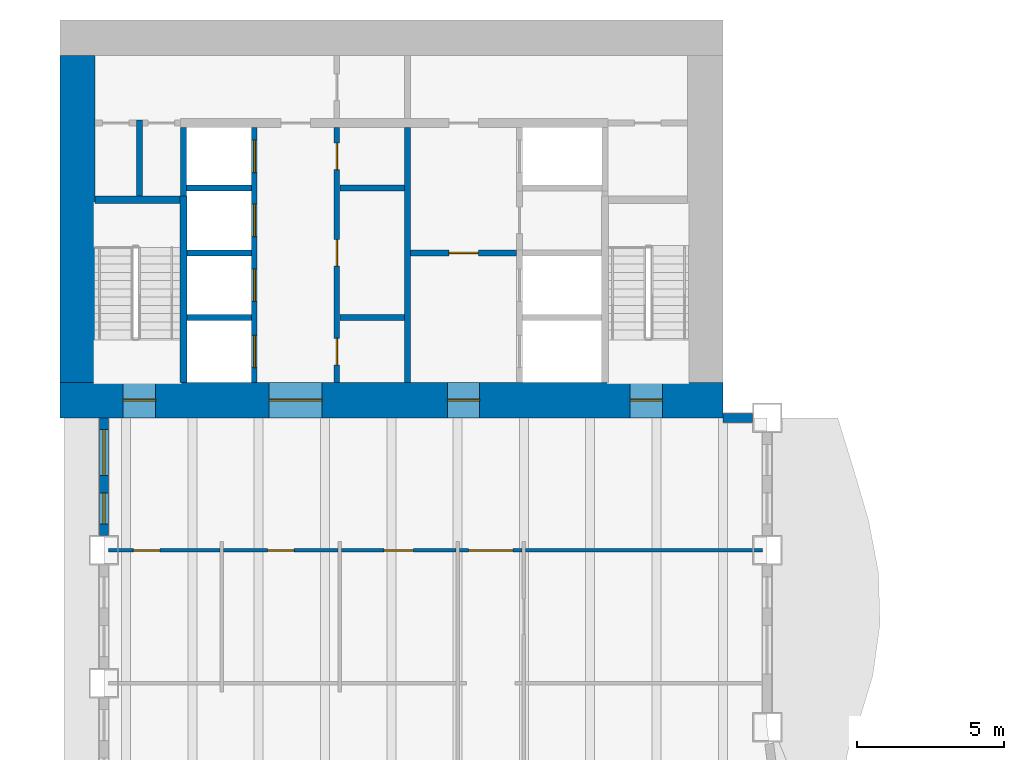
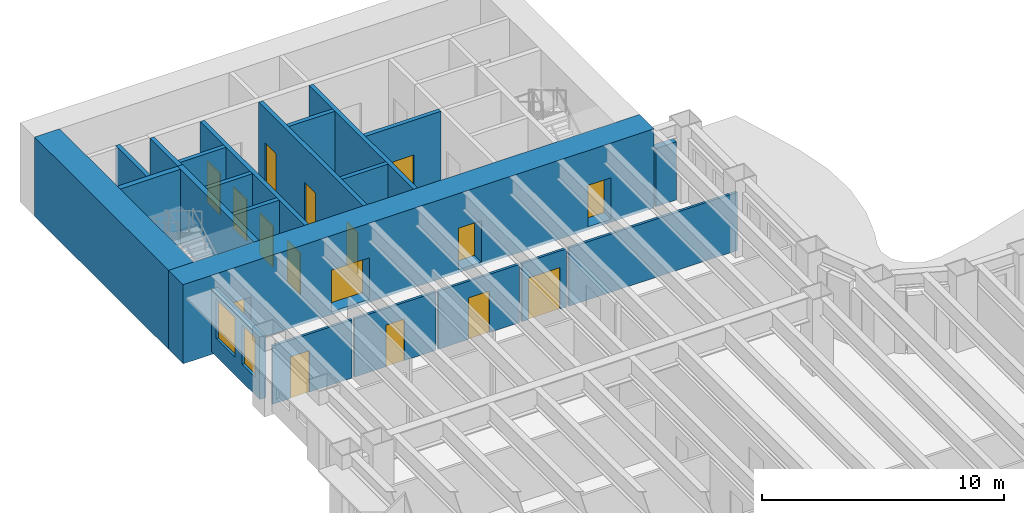
# One storey, part 8 of 16: 22 walls, 16 doors, 2 windows, 18 openings.
"""IFC4 building model written with IfcOpenShell, lengths in metres."""

from ifc_helpers import new_model, si_unit, direction, frame, frame_2d, origin, place, context, subcontext, project, spatial, rectangle, extrude, material, layer, layer_set, type_object, element, fill, save


model = new_model("IFC4")

# Units and contexts
model_context = context("Model", 3, precision=1e-05, world=origin(), true_north=direction((0.0, 1.0)))
body_context = subcontext(model_context, "Body", "Model", "MODEL_VIEW")
ifc_project = project(units=[si_unit("LENGTHUNIT", "METRE"), si_unit("AREAUNIT", "SQUARE_METRE"), si_unit("VOLUMEUNIT", "CUBIC_METRE"), si_unit("PLANEANGLEUNIT", "RADIAN"), si_unit("MASSUNIT", "GRAM", prefix="KILO")], contexts=[model_context])

# Site, building, storey
site_placement = place(None, origin())
site = spatial("IfcSite", under=ifc_project, at=site_placement, CompositionType="ELEMENT")
building_placement = place(site_placement, origin())
building = spatial("IfcBuilding", under=site, at=building_placement, Name="Sennacour Bend Tower", CompositionType="ELEMENT")
storey_placement = place(building_placement, frame((0.0, 0.0, 99.0)))
storey = spatial("IfcBuildingStorey", under=building, at=storey_placement, Name="L22", CompositionType="ELEMENT", Elevation=99.0)

# Wall, openings, doors
ifc_material_1 = material(Name="Concrete C80/95", Category="concrete")
ifc_layer_1 = layer(ifc_material_1, 1.199951171875, Name="Concrete C80/95", Category="concrete")
ifc_layer_set_1 = layer_set([ifc_layer_1], Name="Concrete C80/95")
wall_type_1 = type_object("IfcWallType", Name="Core wall 1200 C80/95", PredefinedType="SHEAR", material=ifc_layer_set_1)
wall_1_placement = place(storey_placement, frame((0.0, 36.60009765625, -0.14990234375), z_axis=(0.0, 0.0, 1.0), x_axis=(1.0, 0.0, 0.0)))
wall_1 = element("IfcWall", 1, at=wall_1_placement, inside=storey, type_object=wall_type_1, Name="Core B wall L22 S", PredefinedType="SHEAR", context=body_context, shape_type="SweptSolid", body=[
    extrude(rectangle(XDim=22.5, YDim=1.199951171875, at=frame_2d((11.25, 0.0))), origin(), (0.0, 0.0, 1.0), 4.0),
])
opening_1_placement = place(wall_1_placement, frame((7.10009765625, 0.0, 0.14990234375)))
opening_1 = element("IfcOpeningElement", 2, at=opening_1_placement, cuts=wall_1, Name="Opening CD", PredefinedType="OPENING", context=body_context, shape_type="SweptSolid", body=[
    extrude(rectangle(XDim=1.800048828125, YDim=2.10009765625, at=frame_2d((0.89990234375, 1.050048828125))), frame((0.0, 0.60986328125, 0.0), z_axis=(0.0, -1.0, 0.0), x_axis=(1.0, 0.0, 0.0)), (0.0, 0.0, 1.0), 1.219970703125),
])
opening_2_placement = place(wall_1_placement, frame((13.14990234375, 0.0, 0.14990234375)))
opening_2 = element("IfcOpeningElement", 3, at=opening_2_placement, cuts=wall_1, Name="Opening FD", PredefinedType="OPENING", context=body_context, shape_type="SweptSolid", body=[
    extrude(rectangle(XDim=1.10009765625, YDim=2.10009765625, at=frame_2d((0.550048828125, 1.050048828125))), frame((0.0, 0.60986328125, 0.0), z_axis=(0.0, -1.0, 0.0), x_axis=(1.0, 0.0, 0.0)), (0.0, 0.0, 1.0), 1.219970703125),
])
opening_3_placement = place(wall_1_placement, frame((2.14990234375, 0.0, 0.14990234375)))
opening_3 = element("IfcOpeningElement", 4, at=opening_3_placement, cuts=wall_1, Name="Opening SD", PredefinedType="OPENING", context=body_context, shape_type="SweptSolid", body=[
    extrude(rectangle(XDim=1.10009765625, YDim=2.10009765625, at=frame_2d((0.550048828125, 1.050048828125))), frame((0.0, 0.60986328125, 0.0), z_axis=(0.0, -1.0, 0.0), x_axis=(1.0, 0.0, 0.0)), (0.0, 0.0, 1.0), 1.219970703125),
])
opening_4_placement = place(wall_1_placement, frame((19.35009765625, 0.0, 0.14990234375)))
opening_4 = element("IfcOpeningElement", 5, at=opening_4_placement, cuts=wall_1, Name="Opening SD", PredefinedType="OPENING", context=body_context, shape_type="SweptSolid", body=[
    extrude(rectangle(XDim=1.10009765625, YDim=2.10009765625, at=frame_2d((0.550048828125, 1.050048828125))), frame((0.0, 0.60986328125, 0.0), z_axis=(0.0, -1.0, 0.0), x_axis=(1.0, 0.0, 0.0)), (0.0, 0.0, 1.0), 1.219970703125),
])
ifc_material_2 = material(Name="Painted steel", Category="steel")
door_type_1 = type_object("IfcDoorType", Name="DR-FFL-1100", OperationType="NOTDEFINED", PredefinedType="DOOR", material=ifc_material_2)
door_1_placement = place(opening_2_placement, origin())
door_1 = element("IfcDoor", 6, at=door_1_placement, inside=storey, type_object=door_type_1, Name="Door", OperationType="SINGLE_SWING_RIGHT", OverallHeight=2.10009765625, OverallWidth=1.10009765625, PredefinedType="DOOR", context=body_context, shape_type="SweptSolid", body=[
    extrude(rectangle(XDim=1.10009765625, YDim=2.10009765625, at=frame_2d((0.550048828125, 1.050048828125))), frame((0.0, 0.02490234375, 0.0), z_axis=(0.0, -1.0, 0.0), x_axis=(1.0, 0.0, 0.0)), (0.0, 0.0, 1.0), 0.050048828125),
])
fill(opening_2, door_1)
door_type_2 = type_object("IfcDoorType", Name="DR-LOBBY-1800", OperationType="NOTDEFINED", PredefinedType="DOOR", material=ifc_material_2)
door_2_placement = place(opening_1_placement, origin())
door_2 = element("IfcDoor", 7, at=door_2_placement, inside=storey, type_object=door_type_2, Name="Door", OperationType="DOUBLE_DOOR_SINGLE_SWING", OverallHeight=2.10009765625, OverallWidth=1.800048828125, PredefinedType="DOOR", context=body_context, shape_type="SweptSolid", body=[
    extrude(rectangle(XDim=1.800048828125, YDim=2.10009765625, at=frame_2d((0.89990234375, 1.050048828125))), frame((0.0, 0.02490234375, 0.0), z_axis=(0.0, -1.0, 0.0), x_axis=(1.0, 0.0, 0.0)), (0.0, 0.0, 1.0), 0.050048828125),
])
fill(opening_1, door_2)
door_type_3 = type_object("IfcDoorType", Name="DR-STAIR-1100", OperationType="NOTDEFINED", PredefinedType="DOOR", material=ifc_material_2)
door_3_placement = place(opening_3_placement, origin())
door_3 = element("IfcDoor", 8, at=door_3_placement, inside=storey, type_object=door_type_3, Name="Door", OperationType="SINGLE_SWING_LEFT", OverallHeight=2.10009765625, OverallWidth=1.10009765625, PredefinedType="DOOR", context=body_context, shape_type="SweptSolid", body=[
    extrude(rectangle(XDim=1.10009765625, YDim=2.10009765625, at=frame_2d((0.550048828125, 1.050048828125))), frame((0.0, 0.02490234375, 0.0), z_axis=(0.0, -1.0, 0.0), x_axis=(1.0, 0.0, 0.0)), (0.0, 0.0, 1.0), 0.050048828125),
])
fill(opening_3, door_3)
door_4_placement = place(opening_4_placement, origin())
door_4 = element("IfcDoor", 9, at=door_4_placement, inside=storey, type_object=door_type_3, Name="Door", OperationType="SINGLE_SWING_RIGHT", OverallHeight=2.10009765625, OverallWidth=1.10009765625, PredefinedType="DOOR", context=body_context, shape_type="SweptSolid", body=[
    extrude(rectangle(XDim=1.10009765625, YDim=2.10009765625, at=frame_2d((0.550048828125, 1.050048828125))), frame((0.0, 0.02490234375, 0.0), z_axis=(0.0, -1.0, 0.0), x_axis=(1.0, 0.0, 0.0)), (0.0, 0.0, 1.0), 0.050048828125),
])
fill(opening_4, door_4)

# Wall
wall_2_placement = place(storey_placement, frame((0.60009765625, 37.199951171875, -0.14990234375), z_axis=(0.0, 0.0, 1.0), x_axis=(0.0, 1.0, 0.0)))
element("IfcWall", 10, at=wall_2_placement, inside=storey, type_object=wall_type_1, Name="Core B wall L22 W", PredefinedType="SHEAR", context=body_context, shape_type="SweptSolid", body=[
    extrude(rectangle(XDim=11.10009765625, YDim=1.199951171875, at=frame_2d((5.550048828125, 0.0))), origin(), (0.0, 0.0, 1.0), 4.0),
])

# Wall, opening, door
ifc_material_3 = material(Name="Plasterboard partition on steel studs", Category="steel")
ifc_layer_2 = layer(ifc_material_3, 0.1201171875, Name="Plasterboard partition on steel studs", Category="steel")
ifc_layer_set_2 = layer_set([ifc_layer_2], Name="Plasterboard partition on steel studs")
wall_type_2 = type_object("IfcWallType", Name="Partition 120", PredefinedType="PARTITIONING", material=ifc_layer_set_2)
wall_3_placement = place(storey_placement, frame((1.64990234375, 31.5, 0.0), z_axis=(0.0, 0.0, 1.0), x_axis=(1.0, 0.0, 0.0)))
wall_3 = element("IfcWall", 11, at=wall_3_placement, inside=storey, type_object=wall_type_2, Name="P-L22-W076aa", PredefinedType="PARTITIONING", context=body_context, shape_type="SweptSolid", body=[
    extrude(rectangle(XDim=3.7900390625, YDim=0.1201171875, at=frame_2d((1.89501953125, 0.0))), origin(), (0.0, 0.0, 1.0), 2.93798828125),
])
opening_5_placement = place(wall_3_placement, frame((0.85009765625, 0.0, 0.0)))
opening_5 = element("IfcOpeningElement", 12, at=opening_5_placement, cuts=wall_3, Name="Opening WD", PredefinedType="OPENING", context=body_context, shape_type="SweptSolid", body=[
    extrude(rectangle(XDim=0.89990234375, YDim=2.10009765625, at=frame_2d((0.449951171875, 1.050048828125))), frame((0.0, 0.070068359375, 0.0), z_axis=(0.0, -1.0, 0.0), x_axis=(1.0, 0.0, 0.0)), (0.0, 0.0, 1.0), 0.14013671875),
])
ifc_material_4 = material(Name="Timber", Category="wood")
door_type_4 = type_object("IfcDoorType", Name="DR-WC-900", OperationType="NOTDEFINED", PredefinedType="DOOR", material=ifc_material_4)
door_5_placement = place(opening_5_placement, origin())
door_5 = element("IfcDoor", 13, at=door_5_placement, inside=storey, type_object=door_type_4, Name="Door", OperationType="SINGLE_SWING_LEFT", OverallHeight=2.10009765625, OverallWidth=0.89990234375, PredefinedType="DOOR", context=body_context, shape_type="SweptSolid", body=[
    extrude(rectangle(XDim=0.89990234375, YDim=2.10009765625, at=frame_2d((0.449951171875, 1.050048828125))), frame((0.0, 0.02490234375, 0.0), z_axis=(0.0, -1.0, 0.0), x_axis=(1.0, 0.0, 0.0)), (0.0, 0.0, 1.0), 0.050048828125),
])
fill(opening_5, door_5)

wall_4_placement = place(storey_placement, frame((5.56005859375, 31.5, 0.0), z_axis=(0.0, 0.0, 1.0), x_axis=(1.0, 0.0, 0.0)))
wall_4 = element("IfcWall", 14, at=wall_4_placement, inside=storey, type_object=wall_type_2, Name="P-L22-W076ab", PredefinedType="PARTITIONING", context=body_context, shape_type="SweptSolid", body=[
    extrude(rectangle(XDim=3.8798828125, YDim=0.1201171875, at=frame_2d((1.93994140625, 0.0))), origin(), (0.0, 0.0, 1.0), 2.93798828125),
])
opening_6_placement = place(wall_4_placement, frame((1.489990234375, 0.0, 0.0)))
opening_6 = element("IfcOpeningElement", 15, at=opening_6_placement, cuts=wall_4, Name="Opening WD", PredefinedType="OPENING", context=body_context, shape_type="SweptSolid", body=[
    extrude(rectangle(XDim=0.89990234375, YDim=2.10009765625, at=frame_2d((0.449951171875, 1.050048828125))), frame((0.0, 0.070068359375, 0.0), z_axis=(0.0, -1.0, 0.0), x_axis=(1.0, 0.0, 0.0)), (0.0, 0.0, 1.0), 0.14013671875),
])
door_6_placement = place(opening_6_placement, origin())
door_6 = element("IfcDoor", 16, at=door_6_placement, inside=storey, type_object=door_type_4, Name="Door", OperationType="SINGLE_SWING_LEFT", OverallHeight=2.10009765625, OverallWidth=0.89990234375, PredefinedType="DOOR", context=body_context, shape_type="SweptSolid", body=[
    extrude(rectangle(XDim=0.89990234375, YDim=2.10009765625, at=frame_2d((0.449951171875, 1.050048828125))), frame((0.0, 0.02490234375, 0.0), z_axis=(0.0, -1.0, 0.0), x_axis=(1.0, 0.0, 0.0)), (0.0, 0.0, 1.0), 0.050048828125),
])
fill(opening_6, door_6)

wall_5_placement = place(storey_placement, frame((9.56005859375, 31.5, 0.0), z_axis=(0.0, 0.0, 1.0), x_axis=(1.0, 0.0, 0.0)))
wall_5 = element("IfcWall", 17, at=wall_5_placement, inside=storey, type_object=wall_type_2, Name="P-L22-W076ac", PredefinedType="PARTITIONING", context=body_context, shape_type="SweptSolid", body=[
    extrude(rectangle(XDim=3.8798828125, YDim=0.1201171875, at=frame_2d((1.93994140625, 0.0))), origin(), (0.0, 0.0, 1.0), 2.93798828125),
])
opening_7_placement = place(wall_5_placement, frame((1.43994140625, 0.0, 0.0)))
opening_7 = element("IfcOpeningElement", 18, at=opening_7_placement, cuts=wall_5, Name="Opening AD", PredefinedType="OPENING", context=body_context, shape_type="SweptSolid", body=[
    extrude(rectangle(XDim=1.0, YDim=2.10009765625, at=frame_2d((0.5, 1.050048828125))), frame((0.0, 0.070068359375, 0.0), z_axis=(0.0, -1.0, 0.0), x_axis=(1.0, 0.0, 0.0)), (0.0, 0.0, 1.0), 0.14013671875),
])
door_type_5 = type_object("IfcDoorType", Name="DR-ACC-WC-1000", OperationType="NOTDEFINED", PredefinedType="DOOR", material=ifc_material_4)
door_7_placement = place(opening_7_placement, origin())
door_7 = element("IfcDoor", 19, at=door_7_placement, inside=storey, type_object=door_type_5, Name="Door", OperationType="SINGLE_SWING_LEFT", OverallHeight=2.10009765625, OverallWidth=1.0, PredefinedType="DOOR", context=body_context, shape_type="SweptSolid", body=[
    extrude(rectangle(XDim=1.0, YDim=2.10009765625, at=frame_2d((0.5, 1.050048828125))), frame((0.0, 0.02490234375, 0.0), z_axis=(0.0, -1.0, 0.0), x_axis=(1.0, 0.0, 0.0)), (0.0, 0.0, 1.0), 0.050048828125),
])
fill(opening_7, door_7)

# Wall
wall_6_placement = place(storey_placement, frame((15.81005859375, 31.5, 0.0), z_axis=(0.0, 0.0, 1.0), x_axis=(1.0, 0.0, 0.0)))
element("IfcWall", 20, at=wall_6_placement, inside=storey, type_object=wall_type_2, Name="P-L22-W076ae", PredefinedType="PARTITIONING", context=body_context, shape_type="SweptSolid", body=[
    extrude(rectangle(XDim=8.0400390625, YDim=0.1201171875, at=frame_2d((4.02001953125, 0.0))), origin(), (0.0, 0.0, 1.0), 2.93798828125),
])

# Wall, opening, door
ifc_layer_3 = layer(ifc_material_3, 0.1201171875, Name="Plasterboard partition on steel studs", Category="steel")
ifc_layer_set_3 = layer_set([ifc_layer_3], Name="Plasterboard partition on steel studs")
wall_type_3 = type_object("IfcWallType", Name="Partition 120 EI 30", PredefinedType="PARTITIONING", material=ifc_layer_set_3)
wall_7_placement = place(storey_placement, frame((13.56005859375, 31.5, 0.0), z_axis=(0.0, 0.0, 1.0), x_axis=(1.0, 0.0, 0.0)))
wall_7 = element("IfcWall", 21, at=wall_7_placement, inside=storey, type_object=wall_type_3, Name="P-L22-W076ad", PredefinedType="PARTITIONING", context=body_context, shape_type="SweptSolid", body=[
    extrude(rectangle(XDim=2.1298828125, YDim=0.1201171875, at=frame_2d((1.06494140625, 0.0))), origin(), (0.0, 0.0, 1.0), 2.93798828125),
])
opening_8_placement = place(wall_7_placement, frame((0.31494140625, 0.0, 0.0)))
opening_8 = element("IfcOpeningElement", 22, at=opening_8_placement, cuts=wall_7, Name="Opening KD", PredefinedType="OPENING", context=body_context, shape_type="SweptSolid", body=[
    extrude(rectangle(XDim=1.5, YDim=2.10009765625, at=frame_2d((0.75, 1.050048828125))), frame((0.0, 0.070068359375, 0.0), z_axis=(0.0, -1.0, 0.0), x_axis=(1.0, 0.0, 0.0)), (0.0, 0.0, 1.0), 0.14013671875),
])
door_type_6 = type_object("IfcDoorType", Name="DR-CORRIDOR-1500", OperationType="NOTDEFINED", PredefinedType="DOOR", material=ifc_material_2)
door_8_placement = place(opening_8_placement, origin())
door_8 = element("IfcDoor", 23, at=door_8_placement, inside=storey, type_object=door_type_6, Name="Door", OperationType="SINGLE_SWING_LEFT", OverallHeight=2.10009765625, OverallWidth=1.5, PredefinedType="DOOR", context=body_context, shape_type="SweptSolid", body=[
    extrude(rectangle(XDim=1.5, YDim=2.10009765625, at=frame_2d((0.75, 1.050048828125))), frame((0.0, 0.02490234375, 0.0), z_axis=(0.0, -1.0, 0.0), x_axis=(1.0, 0.0, 0.0)), (0.0, 0.0, 1.0), 0.050048828125),
])
fill(opening_8, door_8)

# Wall
ifc_material_5 = material(Name="Fire-rated plasterboard partition on steel studs", Category="steel")
ifc_layer_4 = layer(ifc_material_5, 0.199951171875, Name="Fire-rated plasterboard partition on steel studs", Category="steel")
ifc_layer_set_4 = layer_set([ifc_layer_4], Name="Fire-rated plasterboard partition on steel studs")
wall_type_4 = type_object("IfcWallType", Name="Rated partition 200", PredefinedType="PARTITIONING", material=ifc_layer_set_4)
wall_8_placement = place(storey_placement, frame((2.699951171875, 43.52490234375, 0.0), z_axis=(0.0, 0.0, 1.0), x_axis=(0.0, 1.0, 0.0)))
element("IfcWall", 24, at=wall_8_placement, inside=storey, type_object=wall_type_4, Name="P-L22-W004", PredefinedType="PARTITIONING", context=body_context, shape_type="SweptSolid", body=[
    extrude(rectangle(XDim=2.5751953125, YDim=0.199951171875, at=frame_2d((1.28759765625, 0.0))), origin(), (0.0, 0.0, 1.0), 3.85009765625),
])

# Wall, openings, doors
wall_9_placement = place(storey_placement, frame((9.39990234375, 37.199951171875, 0.0), z_axis=(0.0, 0.0, 1.0), x_axis=(0.0, 1.0, 0.0)))
wall_9 = element("IfcWall", 25, at=wall_9_placement, inside=storey, type_object=wall_type_4, Name="P-L22-W010a", PredefinedType="PARTITIONING", context=body_context, shape_type="SweptSolid", body=[
    extrude(rectangle(XDim=8.650146484375, YDim=0.199951171875, at=frame_2d((4.3251953125, 0.0))), origin(), (0.0, 0.0, 1.0), 3.85009765625),
])
opening_9_placement = place(wall_9_placement, frame((0.60009765625, 0.0, 0.0)))
opening_9 = element("IfcOpeningElement", 26, at=opening_9_placement, cuts=wall_9, Name="Opening SV", PredefinedType="OPENING", context=body_context, shape_type="SweptSolid", body=[
    extrude(rectangle(XDim=0.89990234375, YDim=2.10009765625, at=frame_2d((0.449951171875, 1.050048828125))), frame((0.0, 0.10986328125, 0.0), z_axis=(0.0, -1.0, 0.0), x_axis=(1.0, 0.0, 0.0)), (0.0, 0.0, 1.0), 0.219970703125),
])
opening_10_placement = place(wall_9_placement, frame((3.949951171875, 0.0, 0.0)))
opening_10 = element("IfcOpeningElement", 27, at=opening_10_placement, cuts=wall_9, Name="Opening WD", PredefinedType="OPENING", context=body_context, shape_type="SweptSolid", body=[
    extrude(rectangle(XDim=0.89990234375, YDim=2.10009765625, at=frame_2d((0.449951171875, 1.050048828125))), frame((0.0, 0.10986328125, 0.0), z_axis=(0.0, -1.0, 0.0), x_axis=(1.0, 0.0, 0.0)), (0.0, 0.0, 1.0), 0.219970703125),
])
opening_11_placement = place(wall_9_placement, frame((7.22509765625, 0.0, 0.0)))
opening_11 = element("IfcOpeningElement", 28, at=opening_11_placement, cuts=wall_9, Name="Opening SV", PredefinedType="OPENING", context=body_context, shape_type="SweptSolid", body=[
    extrude(rectangle(XDim=0.89990234375, YDim=2.10009765625, at=frame_2d((0.449951171875, 1.050048828125))), frame((0.0, 0.10986328125, 0.0), z_axis=(0.0, -1.0, 0.0), x_axis=(1.0, 0.0, 0.0)), (0.0, 0.0, 1.0), 0.219970703125),
])
door_type_7 = type_object("IfcDoorType", Name="DR-SERVICE-900", OperationType="NOTDEFINED", PredefinedType="DOOR", material=ifc_material_2)
door_9_placement = place(opening_9_placement, origin())
door_9 = element("IfcDoor", 29, at=door_9_placement, inside=storey, type_object=door_type_7, Name="Door", OperationType="SINGLE_SWING_LEFT", OverallHeight=2.10009765625, OverallWidth=0.89990234375, PredefinedType="DOOR", context=body_context, shape_type="SweptSolid", body=[
    extrude(rectangle(XDim=0.89990234375, YDim=2.10009765625, at=frame_2d((0.449951171875, 1.050048828125))), frame((0.0, 0.02490234375, 0.0), z_axis=(0.0, -1.0, 0.0), x_axis=(1.0, 0.0, 0.0)), (0.0, 0.0, 1.0), 0.050048828125),
])
fill(opening_9, door_9)
door_10_placement = place(opening_11_placement, origin())
door_10 = element("IfcDoor", 30, at=door_10_placement, inside=storey, type_object=door_type_7, Name="Door", OperationType="SINGLE_SWING_RIGHT", OverallHeight=2.10009765625, OverallWidth=0.89990234375, PredefinedType="DOOR", context=body_context, shape_type="SweptSolid", body=[
    extrude(rectangle(XDim=0.89990234375, YDim=2.10009765625, at=frame_2d((0.449951171875, 1.050048828125))), frame((0.0, 0.02490234375, 0.0), z_axis=(0.0, -1.0, 0.0), x_axis=(1.0, 0.0, 0.0)), (0.0, 0.0, 1.0), 0.050048828125),
])
fill(opening_11, door_10)
door_11_placement = place(opening_10_placement, origin())
door_11 = element("IfcDoor", 31, at=door_11_placement, inside=storey, type_object=door_type_4, Name="Door", OperationType="SINGLE_SWING_RIGHT", OverallHeight=2.10009765625, OverallWidth=0.89990234375, PredefinedType="DOOR", context=body_context, shape_type="SweptSolid", body=[
    extrude(rectangle(XDim=0.89990234375, YDim=2.10009765625, at=frame_2d((0.449951171875, 1.050048828125))), frame((0.0, 0.02490234375, 0.0), z_axis=(0.0, -1.0, 0.0), x_axis=(1.0, 0.0, 0.0)), (0.0, 0.0, 1.0), 0.050048828125),
])
fill(opening_10, door_11)

# Walls
wall_10_placement = place(storey_placement, frame((11.800048828125, 37.199951171875, 0.0), z_axis=(0.0, 0.0, 1.0), x_axis=(0.0, 1.0, 0.0)))
element("IfcWall", 32, at=wall_10_placement, inside=storey, type_object=wall_type_4, Name="P-L22-W013a", PredefinedType="PARTITIONING", context=body_context, shape_type="SweptSolid", body=[
    extrude(rectangle(XDim=8.650146484375, YDim=0.199951171875, at=frame_2d((4.3251953125, 0.0))), origin(), (0.0, 0.0, 1.0), 3.85009765625),
])
for number, where, z_axis, x_axis, name in (
    (33, (9.5, 39.39990234375, 0.0), (0.0, 0.0, 1.0), (1.0, 0.0, 0.0), "P-L22-W079"),
    (34, (9.5, 43.800048828125, 0.0), (0.0, 0.0, 1.0), (1.0, 0.0, 0.0), "P-L22-W087"),
):
    element("IfcWall", number, at=place(storey_placement, frame(where, z_axis=z_axis, x_axis=x_axis)), inside=storey, type_object=wall_type_4, Name=name, PredefinedType="PARTITIONING", context=body_context, shape_type="SweptSolid", body=[
        extrude(rectangle(XDim=2.199951171875, YDim=0.199951171875, at=frame_2d((1.10009765625, 0.0))), origin(), (0.0, 0.0, 1.0), 3.85009765625),
    ])

# Wall, opening, door
ifc_layer_5 = layer(ifc_material_5, 0.199951171875, Name="Fire-rated plasterboard partition on steel studs", Category="steel")
ifc_layer_set_5 = layer_set([ifc_layer_5], Name="Fire-rated plasterboard partition on steel studs")
wall_type_5 = type_object("IfcWallType", Name="Rated partition 200 EI 90", PredefinedType="PARTITIONING", material=ifc_layer_set_5)
wall_11_placement = place(storey_placement, frame((11.89990234375, 41.60009765625, 0.0), z_axis=(0.0, 0.0, 1.0), x_axis=(1.0, 0.0, 0.0)))
wall_11 = element("IfcWall", 35, at=wall_11_placement, inside=storey, type_object=wall_type_5, Name="P-L22-W082", PredefinedType="PARTITIONING", context=body_context, shape_type="SweptSolid", body=[
    extrude(rectangle(XDim=3.60009765625, YDim=0.199951171875, at=frame_2d((1.800048828125, 0.0))), origin(), (0.0, 0.0, 1.0), 3.85009765625),
])
opening_12_placement = place(wall_11_placement, frame((1.300048828125, 0.0, 0.0)))
opening_12 = element("IfcOpeningElement", 36, at=opening_12_placement, cuts=wall_11, Name="Opening FD2", PredefinedType="OPENING", context=body_context, shape_type="SweptSolid", body=[
    extrude(rectangle(XDim=1.0, YDim=2.10009765625, at=frame_2d((0.5, 1.050048828125))), frame((0.0, 0.10986328125, 0.0), z_axis=(0.0, -1.0, 0.0), x_axis=(1.0, 0.0, 0.0)), (0.0, 0.0, 1.0), 0.219970703125),
])
door_type_8 = type_object("IfcDoorType", Name="DR-FFL-1000", OperationType="NOTDEFINED", PredefinedType="DOOR", material=ifc_material_2)
door_12_placement = place(opening_12_placement, origin())
door_12 = element("IfcDoor", 37, at=door_12_placement, inside=storey, type_object=door_type_8, Name="Door", OperationType="SINGLE_SWING_LEFT", OverallHeight=2.10009765625, OverallWidth=1.0, PredefinedType="DOOR", context=body_context, shape_type="SweptSolid", body=[
    extrude(rectangle(XDim=1.0, YDim=2.10009765625, at=frame_2d((0.5, 1.050048828125))), frame((0.0, 0.02490234375, 0.0), z_axis=(0.0, -1.0, 0.0), x_axis=(1.0, 0.0, 0.0)), (0.0, 0.0, 1.0), 0.050048828125),
])
fill(opening_12, door_12)

# Wall
ifc_material_6 = material(Name="Warm limestone cladding", Category="masonry")
ifc_layer_6 = layer(ifc_material_6, 0.050048828125, Name="Warm limestone cladding", Category="masonry")
ifc_material_7 = material(Name="Precast concrete C40/50", Category="concrete")
ifc_layer_7 = layer(ifc_material_7, 0.25, Name="Precast concrete C40/50", Category="concrete")
ifc_layer_set_6 = layer_set([ifc_layer_6, ifc_layer_7], Name="Precast concrete C40/50 with limestone cladding")
wall_type_6 = type_object("IfcWallType", Name="STONE-CLAD PRECAST SPANDREL 300", PredefinedType="STANDARD", material=ifc_layer_set_6)
wall_12_placement = place(storey_placement, frame((23.5, 36.0, 0.0), z_axis=(0.0, 0.0, 1.0), x_axis=(-1.0, 0.0, 0.0)))
element("IfcWall", 38, at=wall_12_placement, inside=storey, type_object=wall_type_6, Name="Stone spandrel and pier wall L22 14.00", PredefinedType="STANDARD", context=body_context, shape_type="SweptSolid", body=[
    extrude(rectangle(XDim=1.0, YDim=0.300048828125, at=frame_2d((0.5, 0.0))), origin(), (0.0, 0.0, 1.0), 2.93798828125),
])

# Wall, openings, windows
wall_13_placement = place(storey_placement, frame((1.5, 36.0, 0.0), z_axis=(0.0, 0.0, 1.0), x_axis=(0.0, -1.0, 0.0)))
wall_13 = element("IfcWall", 39, at=wall_13_placement, inside=storey, type_object=wall_type_6, Name="Stone spandrel and pier wall L22 19.00", PredefinedType="STANDARD", context=body_context, shape_type="SweptSolid", body=[
    extrude(rectangle(XDim=4.0, YDim=0.300048828125, at=frame_2d((2.0, 0.0))), origin(), (0.0, 0.0, 1.0), 3.154052734375),
])
opening_13_placement = place(wall_13_placement, frame((0.39990234375, 0.0, 0.89990234375)))
opening_13 = element("IfcOpeningElement", 40, at=opening_13_placement, cuts=wall_13, Name="Opening W9", PredefinedType="OPENING", context=body_context, shape_type="SweptSolid", body=[
    extrude(rectangle(XDim=1.550048828125, YDim=2.0, at=frame_2d((0.77490234375, 1.0))), frame((0.0, 0.16015625, 0.0), z_axis=(0.0, -1.0, 0.0), x_axis=(1.0, 0.0, 0.0)), (0.0, 0.0, 1.0), 0.320068359375),
])
opening_14_placement = place(wall_13_placement, frame((2.550048828125, 0.0, 0.89990234375)))
opening_14 = element("IfcOpeningElement", 41, at=opening_14_placement, cuts=wall_13, Name="Opening W13", PredefinedType="OPENING", context=body_context, shape_type="SweptSolid", body=[
    extrude(rectangle(XDim=1.050048828125, YDim=2.0, at=frame_2d((0.52490234375, 1.0))), frame((0.0, 0.16015625, 0.0), z_axis=(0.0, -1.0, 0.0), x_axis=(1.0, 0.0, 0.0)), (0.0, 0.0, 1.0), 0.320068359375),
])
ifc_material_8 = material(Name="Clear low-emissivity glass", Category="glass")
window_type_1 = type_object("IfcWindowType", Name="WIN-RIBBON-1050x2000", PartitioningType="SINGLE_PANEL", PredefinedType="WINDOW", material=ifc_material_8)
window_1_placement = place(opening_14_placement, origin())
window_1 = element("IfcWindow", 42, at=window_1_placement, inside=storey, type_object=window_type_1, Name="Ribbon window L22 19.00.1", OverallHeight=2.0, OverallWidth=1.050048828125, PartitioningType="SINGLE_PANEL", PredefinedType="WINDOW", context=body_context, shape_type="SweptSolid", body=[
    extrude(rectangle(XDim=1.050048828125, YDim=2.0, at=frame_2d((0.52490234375, 1.0))), frame((0.0, 0.030029296875, 0.0), z_axis=(0.0, -1.0, 0.0), x_axis=(1.0, 0.0, 0.0)), (0.0, 0.0, 1.0), 0.06005859375),
])
fill(opening_14, window_1)
window_type_2 = type_object("IfcWindowType", Name="WIN-RIBBON-1550x2000", PartitioningType="SINGLE_PANEL", PredefinedType="WINDOW", material=ifc_material_8)
window_2_placement = place(opening_13_placement, origin())
window_2 = element("IfcWindow", 43, at=window_2_placement, inside=storey, type_object=window_type_2, Name="Ribbon window L22 19.00.0", OverallHeight=2.0, OverallWidth=1.550048828125, PartitioningType="SINGLE_PANEL", PredefinedType="WINDOW", context=body_context, shape_type="SweptSolid", body=[
    extrude(rectangle(XDim=1.550048828125, YDim=2.0, at=frame_2d((0.77490234375, 1.0))), frame((0.0, 0.030029296875, 0.0), z_axis=(0.0, -1.0, 0.0), x_axis=(1.0, 0.0, 0.0)), (0.0, 0.0, 1.0), 0.06005859375),
])
fill(opening_13, window_2)

# Wall
ifc_material_9 = material(Name="Concrete C50/60", Category="concrete")
ifc_layer_8 = layer(ifc_material_9, 0.199951171875, Name="Concrete C50/60", Category="concrete")
ifc_layer_set_7 = layer_set([ifc_layer_8], Name="Concrete C50/60")
wall_type_7 = type_object("IfcWallType", Name="Shaft wall 200", PredefinedType="SOLIDWALL", material=ifc_layer_set_7)
wall_14_placement = place(storey_placement, frame((4.199951171875, 43.52490234375, 0.0), z_axis=(0.0, 0.0, 1.0), x_axis=(0.0, 1.0, 0.0)))
element("IfcWall", 44, at=wall_14_placement, inside=storey, type_object=wall_type_7, Name="P-L22-W006", PredefinedType="SOLIDWALL", context=body_context, shape_type="SweptSolid", body=[
    extrude(rectangle(XDim=2.3251953125, YDim=0.199951171875, at=frame_2d((1.16259765625, 0.0))), origin(), (0.0, 0.0, 1.0), 3.85009765625),
])

# Wall, openings, doors
wall_15_placement = place(storey_placement, frame((6.60009765625, 37.199951171875, 0.0), z_axis=(0.0, 0.0, 1.0), x_axis=(0.0, 1.0, 0.0)))
wall_15 = element("IfcWall", 45, at=wall_15_placement, inside=storey, type_object=wall_type_7, Name="P-L22-W008", PredefinedType="SOLIDWALL", context=body_context, shape_type="SweptSolid", body=[
    extrude(rectangle(XDim=8.650146484375, YDim=0.199951171875, at=frame_2d((4.3251953125, 0.0))), origin(), (0.0, 0.0, 1.0), 3.85009765625),
])
opening_15_placement = place(wall_15_placement, frame((0.5, 0.0, 0.011962890625)))
opening_15 = element("IfcOpeningElement", 46, at=opening_15_placement, cuts=wall_15, Name="Opening LD", PredefinedType="OPENING", context=body_context, shape_type="SweptSolid", body=[
    extrude(rectangle(XDim=1.10009765625, YDim=2.10009765625, at=frame_2d((0.550048828125, 1.050048828125))), frame((0.0, 0.10986328125, 0.0), z_axis=(0.0, -1.0, 0.0), x_axis=(1.0, 0.0, 0.0)), (0.0, 0.0, 1.0), 0.219970703125),
])
opening_16_placement = place(wall_15_placement, frame((2.75, 0.0, 0.011962890625)))
opening_16 = element("IfcOpeningElement", 47, at=opening_16_placement, cuts=wall_15, Name="Opening LD", PredefinedType="OPENING", context=body_context, shape_type="SweptSolid", body=[
    extrude(rectangle(XDim=1.10009765625, YDim=2.10009765625, at=frame_2d((0.550048828125, 1.050048828125))), frame((0.0, 0.10986328125, 0.0), z_axis=(0.0, -1.0, 0.0), x_axis=(1.0, 0.0, 0.0)), (0.0, 0.0, 1.0), 0.219970703125),
])
opening_17_placement = place(wall_15_placement, frame((4.949951171875, 0.0, 0.011962890625)))
opening_17 = element("IfcOpeningElement", 48, at=opening_17_placement, cuts=wall_15, Name="Opening LD", PredefinedType="OPENING", context=body_context, shape_type="SweptSolid", body=[
    extrude(rectangle(XDim=1.10009765625, YDim=2.10009765625, at=frame_2d((0.550048828125, 1.050048828125))), frame((0.0, 0.10986328125, 0.0), z_axis=(0.0, -1.0, 0.0), x_axis=(1.0, 0.0, 0.0)), (0.0, 0.0, 1.0), 0.219970703125),
])
opening_18_placement = place(wall_15_placement, frame((7.125, 0.0, 0.011962890625)))
opening_18 = element("IfcOpeningElement", 49, at=opening_18_placement, cuts=wall_15, Name="Opening LD", PredefinedType="OPENING", context=body_context, shape_type="SweptSolid", body=[
    extrude(rectangle(XDim=1.10009765625, YDim=2.10009765625, at=frame_2d((0.550048828125, 1.050048828125))), frame((0.0, 0.10986328125, 0.0), z_axis=(0.0, -1.0, 0.0), x_axis=(1.0, 0.0, 0.0)), (0.0, 0.0, 1.0), 0.219970703125),
])
ifc_material_10 = material(Name="Stainless steel", Category="steel")
door_type_9 = type_object("IfcDoorType", Name="DR-LANDING-1100", OperationType="NOTDEFINED", PredefinedType="DOOR", material=ifc_material_10)
door_13_placement = place(opening_15_placement, origin())
door_13 = element("IfcDoor", 50, at=door_13_placement, inside=storey, type_object=door_type_9, Name="Lift landing door LB1", OperationType="SLIDING_TO_LEFT", OverallHeight=2.10009765625, OverallWidth=1.10009765625, PredefinedType="DOOR", context=body_context, shape_type="SweptSolid", body=[
    extrude(rectangle(XDim=1.10009765625, YDim=2.10009765625, at=frame_2d((0.550048828125, 1.050048828125))), frame((0.0, 0.02490234375, 0.0), z_axis=(0.0, -1.0, 0.0), x_axis=(1.0, 0.0, 0.0)), (0.0, 0.0, 1.0), 0.050048828125),
])
fill(opening_15, door_13)
door_14_placement = place(opening_16_placement, origin())
door_14 = element("IfcDoor", 51, at=door_14_placement, inside=storey, type_object=door_type_9, Name="Lift landing door LB2", OperationType="SLIDING_TO_RIGHT", OverallHeight=2.10009765625, OverallWidth=1.10009765625, PredefinedType="DOOR", context=body_context, shape_type="SweptSolid", body=[
    extrude(rectangle(XDim=1.10009765625, YDim=2.10009765625, at=frame_2d((0.550048828125, 1.050048828125))), frame((0.0, 0.02490234375, 0.0), z_axis=(0.0, -1.0, 0.0), x_axis=(1.0, 0.0, 0.0)), (0.0, 0.0, 1.0), 0.050048828125),
])
fill(opening_16, door_14)
door_15_placement = place(opening_17_placement, origin())
door_15 = element("IfcDoor", 52, at=door_15_placement, inside=storey, type_object=door_type_9, Name="Lift landing door LB3", OperationType="SLIDING_TO_LEFT", OverallHeight=2.10009765625, OverallWidth=1.10009765625, PredefinedType="DOOR", context=body_context, shape_type="SweptSolid", body=[
    extrude(rectangle(XDim=1.10009765625, YDim=2.10009765625, at=frame_2d((0.550048828125, 1.050048828125))), frame((0.0, 0.02490234375, 0.0), z_axis=(0.0, -1.0, 0.0), x_axis=(1.0, 0.0, 0.0)), (0.0, 0.0, 1.0), 0.050048828125),
])
fill(opening_17, door_15)
door_16_placement = place(opening_18_placement, origin())
door_16 = element("IfcDoor", 53, at=door_16_placement, inside=storey, type_object=door_type_9, Name="Lift landing door LB4", OperationType="SLIDING_TO_RIGHT", OverallHeight=2.10009765625, OverallWidth=1.10009765625, PredefinedType="DOOR", context=body_context, shape_type="SweptSolid", body=[
    extrude(rectangle(XDim=1.10009765625, YDim=2.10009765625, at=frame_2d((0.550048828125, 1.050048828125))), frame((0.0, 0.02490234375, 0.0), z_axis=(0.0, -1.0, 0.0), x_axis=(1.0, 0.0, 0.0)), (0.0, 0.0, 1.0), 0.050048828125),
])
fill(opening_18, door_16)

# Walls
for number, where, z_axis, x_axis, name in (
    (54, (4.324951171875, 39.39990234375, 0.0), (0.0, 0.0, 1.0), (1.0, 0.0, 0.0), "P-L22-W078"),
    (55, (4.324951171875, 41.60009765625, 0.0), (0.0, 0.0, 1.0), (1.0, 0.0, 0.0), "P-L22-W081"),
):
    element("IfcWall", number, at=place(storey_placement, frame(where, z_axis=z_axis, x_axis=x_axis)), inside=storey, type_object=wall_type_7, Name=name, PredefinedType="SOLIDWALL", context=body_context, shape_type="SweptSolid", body=[
        extrude(rectangle(XDim=2.175048828125, YDim=0.199951171875, at=frame_2d((1.08740234375, 0.0))), origin(), (0.0, 0.0, 1.0), 3.85009765625),
    ])
wall_16_placement = place(storey_placement, frame((4.300048828125, 43.800048828125, 0.0), z_axis=(0.0, 0.0, 1.0), x_axis=(1.0, 0.0, 0.0)))
element("IfcWall", 56, at=wall_16_placement, inside=storey, type_object=wall_type_7, Name="P-L22-W086", PredefinedType="SOLIDWALL", context=body_context, shape_type="SweptSolid", body=[
    extrude(rectangle(XDim=2.199951171875, YDim=0.199951171875, at=frame_2d((1.10009765625, 0.0))), origin(), (0.0, 0.0, 1.0), 3.85009765625),
])
ifc_material_11 = material(Name="Concrete C60/75", Category="concrete")
ifc_layer_9 = layer(ifc_material_11, 0.25, Name="Concrete C60/75", Category="concrete")
ifc_layer_set_8 = layer_set([ifc_layer_9], Name="Concrete C60/75")
wall_type_8 = type_object("IfcWallType", Name="Stair wall 250", PredefinedType="SHEAR", material=ifc_layer_set_8)
wall_17_placement = place(storey_placement, frame((4.199951171875, 37.199951171875, 0.0), z_axis=(0.0, 0.0, 1.0), x_axis=(0.0, 1.0, 0.0)))
element("IfcWall", 57, at=wall_17_placement, inside=storey, type_object=wall_type_8, Name="P-L22-W005", PredefinedType="SHEAR", context=body_context, shape_type="SweptSolid", body=[
    extrude(rectangle(XDim=6.324951171875, YDim=0.25, at=frame_2d((3.16259765625, 0.0))), origin(), (0.0, 0.0, 1.0), 3.85009765625),
])
wall_18_placement = place(storey_placement, frame((1.199951171875, 43.39990234375, 0.0), z_axis=(0.0, 0.0, 1.0), x_axis=(1.0, 0.0, 0.0)))
element("IfcWall", 58, at=wall_18_placement, inside=storey, type_object=wall_type_8, Name="P-L22-W084", PredefinedType="SHEAR", context=body_context, shape_type="SweptSolid", body=[
    extrude(rectangle(XDim=2.875, YDim=0.25, at=frame_2d((1.4375, 0.0))), origin(), (0.0, 0.0, 1.0), 3.85009765625),
])

save(model, "model.ifc")
